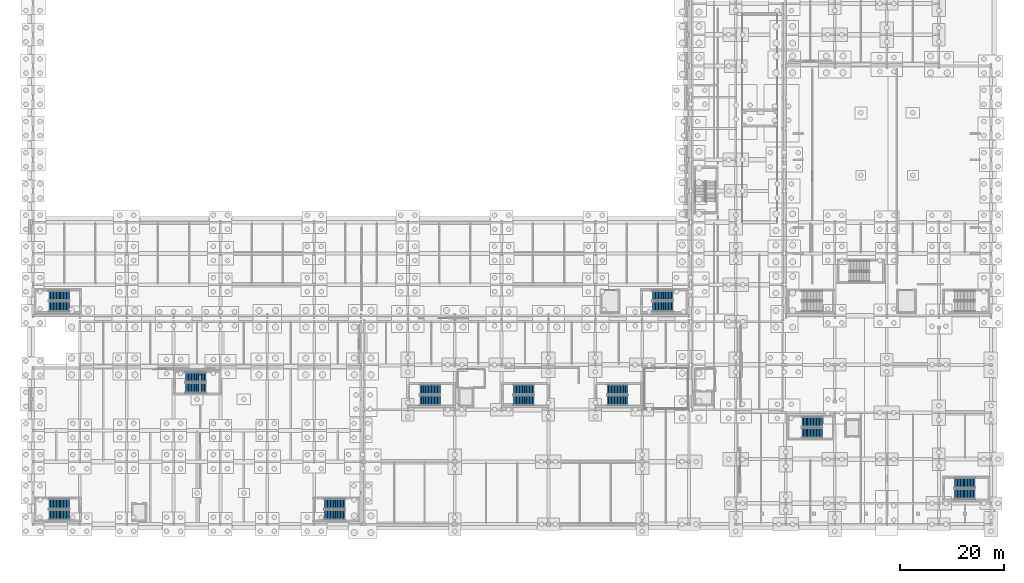
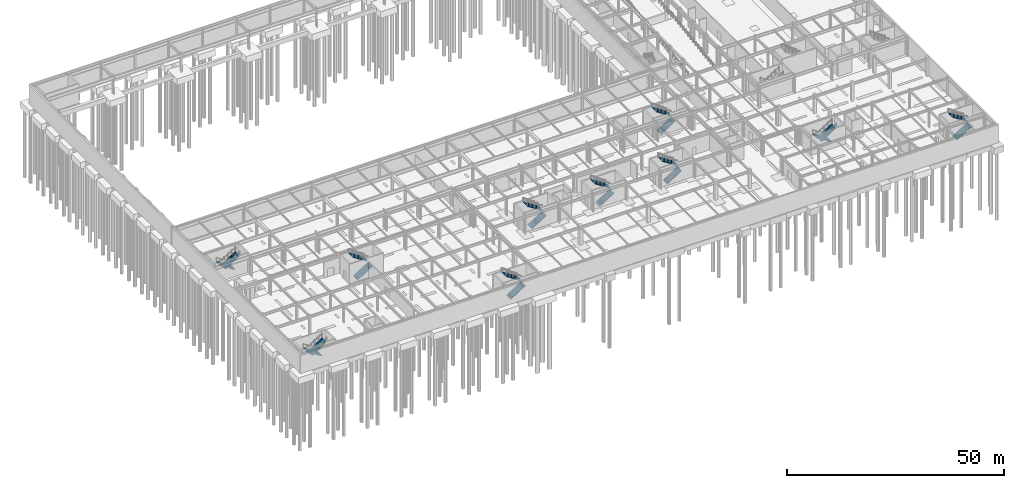
# One storey, part 50 of 65: 20 stair flights, 10 elements without a shape of their own.
"""IFC4 building model written with IfcOpenShell, lengths in metres."""

from ifc_helpers import new_model, si_unit, direction, frame, origin, place, context, subcontext, project, spatial, polyline, outline, extrude, material, type_object, element, aggregate, save


model = new_model("IFC4")

# Units and contexts
model_context = context("Model", 3, precision=1e-05, world=origin(), true_north=direction((0.0, 1.0)))
body_context = subcontext(model_context, "Body", "Model", "MODEL_VIEW")
ifc_project = project(units=[si_unit("LENGTHUNIT", "METRE"), si_unit("AREAUNIT", "SQUARE_METRE"), si_unit("VOLUMEUNIT", "CUBIC_METRE"), si_unit("PLANEANGLEUNIT", "RADIAN"), si_unit("MASSUNIT", "GRAM", prefix="KILO")], contexts=[model_context])

# Site, building, storey
site_placement = place(None, origin())
site = spatial("IfcSite", under=ifc_project, at=site_placement, CompositionType="ELEMENT")
building_placement = place(site_placement, origin())
building = spatial("IfcBuilding", under=site, at=building_placement, Name="Kaldris Quays Convention Centre", CompositionType="ELEMENT")
storey_placement = place(building_placement, frame((0.0, 0.0, -5.39990234375)))
storey = spatial("IfcBuildingStorey", under=building, at=storey_placement, Name="B1", CompositionType="ELEMENT", Elevation=-5.39990234375)

# Stair, stair flights
ifc_material = material(Name="Concrete C35/45", Category="concrete")
stair_type = type_object("IfcStairType", Name="DOGLEG ESCAPE STAIR STF1", PredefinedType="TWO_STRAIGHT_RUN_STAIR", material=ifc_material)
stair_1_placement = place(storey_placement, origin())
stair_1 = element("IfcStair", 1, at=stair_1_placement, inside=storey, type_object=stair_type, Name="B1 Escape Stair ST01", PredefinedType="TWO_STRAIGHT_RUN_STAIR")
stair_flight_type = type_object("IfcStairFlightType", Name="STAIR FLIGHT SF01", PredefinedType="STRAIGHT", material=ifc_material)
stair_flight_1_placement = place(storey_placement, frame((27.0, 59.875, 0.0), z_axis=(0.0, 0.0, 1.0), x_axis=(-1.0, 0.0, 0.0)))
stair_flight_1 = element("IfcStairFlight", 2, at=stair_flight_1_placement, type_object=stair_flight_type, Name="STF1 flight 1", NumberOfRisers=15, NumberOfTreads=14, PredefinedType="STRAIGHT", RiserHeight=0.18, TreadLength=0.28, context=body_context, shape_type="SweptSolid", body=[
    extrude(outline(polyline([(0.0, 0.0), (0.0, 0.179931640625), (0.280029296875, 0.179931640625), (0.280029296875, 0.360107421875), (0.56005859375, 0.360107421875), (0.56005859375, 0.5400390625), (0.840087890625, 0.5400390625), (0.840087890625, 0.719970703125), (1.1201171875, 0.719970703125), (1.1201171875, 0.89990234375), (1.39990234375, 0.89990234375), (1.39990234375, 1.080078125), (1.679931640625, 1.080078125), (1.679931640625, 1.260009765625), (1.9599609375, 1.260009765625), (1.9599609375, 1.43994140625), (2.239990234375, 1.43994140625), (2.239990234375, 1.6201171875), (2.52001953125, 1.6201171875), (2.52001953125, 1.800048828125), (2.800048828125, 1.800048828125), (2.800048828125, 1.97998046875), (3.080078125, 1.97998046875), (3.080078125, 2.159912109375), (3.360107421875, 2.159912109375), (3.360107421875, 2.340087890625), (3.639892578125, 2.340087890625), (3.639892578125, 2.52001953125), (3.919921875, 2.52001953125), (3.919921875, 2.699951171875), (3.919921875, 2.341796875), (0.277099609375, 0.0), (0.0, 0.0)])), frame((0.0, 0.97509765625, 0.0), z_axis=(0.0, -1.0, 0.0), x_axis=(1.0, 0.0, 0.0)), (0.0, 0.0, 1.0), 1.949951171875),
])
stair_flight_2_placement = place(storey_placement, frame((23.080078125, 57.77490234375, 2.699951171875), z_axis=(0.0, 0.0, 1.0), x_axis=(1.0, 0.0, 0.0)))
stair_flight_2 = element("IfcStairFlight", 3, at=stair_flight_2_placement, type_object=stair_flight_type, Name="STF1 flight 2", NumberOfRisers=15, NumberOfTreads=14, PredefinedType="STRAIGHT", RiserHeight=0.18, TreadLength=0.28, context=body_context, shape_type="SweptSolid", body=[
    extrude(outline(polyline([(0.0, 0.0), (0.0, 0.179931640625), (0.280029296875, 0.179931640625), (0.280029296875, 0.360107421875), (0.56005859375, 0.360107421875), (0.56005859375, 0.5400390625), (0.840087890625, 0.5400390625), (0.840087890625, 0.719970703125), (1.1201171875, 0.719970703125), (1.1201171875, 0.89990234375), (1.39990234375, 0.89990234375), (1.39990234375, 1.080078125), (1.679931640625, 1.080078125), (1.679931640625, 1.260009765625), (1.9599609375, 1.260009765625), (1.9599609375, 1.43994140625), (2.239990234375, 1.43994140625), (2.239990234375, 1.6201171875), (2.52001953125, 1.6201171875), (2.52001953125, 1.800048828125), (2.800048828125, 1.800048828125), (2.800048828125, 1.97998046875), (3.080078125, 1.97998046875), (3.080078125, 2.159912109375), (3.360107421875, 2.159912109375), (3.360107421875, 2.340087890625), (3.639892578125, 2.340087890625), (3.639892578125, 2.52001953125), (3.919921875, 2.52001953125), (3.919921875, 2.699951171875), (3.919921875, 2.341796875), (0.277099609375, 0.0), (0.0, 0.0)])), frame((0.0, 0.97509765625, 0.0), z_axis=(0.0, -1.0, 0.0), x_axis=(1.0, 0.0, 0.0)), (0.0, 0.0, 1.0), 1.949951171875),
])
aggregate(stair_1, [stair_flight_1, stair_flight_2])

stair_2_placement = place(storey_placement, origin())
stair_2 = element("IfcStair", 4, at=stair_2_placement, inside=storey, type_object=stair_type, Name="B1 Escape Stair ST02", PredefinedType="TWO_STRAIGHT_RUN_STAIR")
stair_flight_3_placement = place(storey_placement, frame((139.0, 57.77490234375, 0.0), z_axis=(0.0, 0.0, 1.0), x_axis=(1.0, 0.0, 0.0)))
stair_flight_3 = element("IfcStairFlight", 5, at=stair_flight_3_placement, type_object=stair_flight_type, Name="STF1 flight 1", NumberOfRisers=15, NumberOfTreads=14, PredefinedType="STRAIGHT", RiserHeight=0.18, TreadLength=0.28, context=body_context, shape_type="SweptSolid", body=[
    extrude(outline(polyline([(0.0, 0.0), (0.0, 0.179931640625), (0.280029296875, 0.179931640625), (0.280029296875, 0.360107421875), (0.56005859375, 0.360107421875), (0.56005859375, 0.5400390625), (0.840087890625, 0.5400390625), (0.840087890625, 0.719970703125), (1.1201171875, 0.719970703125), (1.1201171875, 0.89990234375), (1.39990234375, 0.89990234375), (1.39990234375, 1.080078125), (1.679931640625, 1.080078125), (1.679931640625, 1.260009765625), (1.9599609375, 1.260009765625), (1.9599609375, 1.43994140625), (2.239990234375, 1.43994140625), (2.239990234375, 1.6201171875), (2.52001953125, 1.6201171875), (2.52001953125, 1.800048828125), (2.800048828125, 1.800048828125), (2.800048828125, 1.97998046875), (3.080078125, 1.97998046875), (3.080078125, 2.159912109375), (3.360107421875, 2.159912109375), (3.360107421875, 2.340087890625), (3.639892578125, 2.340087890625), (3.639892578125, 2.52001953125), (3.919921875, 2.52001953125), (3.919921875, 2.699951171875), (3.919921875, 2.341796875), (0.277099609375, 0.0), (0.0, 0.0)])), frame((0.0, 0.97509765625, 0.0), z_axis=(0.0, -1.0, 0.0), x_axis=(1.0, 0.0, 0.0)), (0.0, 0.0, 1.0), 1.949951171875),
])
stair_flight_4_placement = place(storey_placement, frame((142.919921875, 59.875, 2.699951171875), z_axis=(0.0, 0.0, 1.0), x_axis=(-1.0, 0.0, 0.0)))
stair_flight_4 = element("IfcStairFlight", 6, at=stair_flight_4_placement, type_object=stair_flight_type, Name="STF1 flight 2", NumberOfRisers=15, NumberOfTreads=14, PredefinedType="STRAIGHT", RiserHeight=0.18, TreadLength=0.28, context=body_context, shape_type="SweptSolid", body=[
    extrude(outline(polyline([(0.0, 0.0), (0.0, 0.179931640625), (0.280029296875, 0.179931640625), (0.280029296875, 0.360107421875), (0.56005859375, 0.360107421875), (0.56005859375, 0.5400390625), (0.840087890625, 0.5400390625), (0.840087890625, 0.719970703125), (1.1201171875, 0.719970703125), (1.1201171875, 0.89990234375), (1.39990234375, 0.89990234375), (1.39990234375, 1.080078125), (1.679931640625, 1.080078125), (1.679931640625, 1.260009765625), (1.9599609375, 1.260009765625), (1.9599609375, 1.43994140625), (2.239990234375, 1.43994140625), (2.239990234375, 1.6201171875), (2.52001953125, 1.6201171875), (2.52001953125, 1.800048828125), (2.800048828125, 1.800048828125), (2.800048828125, 1.97998046875), (3.080078125, 1.97998046875), (3.080078125, 2.159912109375), (3.360107421875, 2.159912109375), (3.360107421875, 2.340087890625), (3.639892578125, 2.340087890625), (3.639892578125, 2.52001953125), (3.919921875, 2.52001953125), (3.919921875, 2.699951171875), (3.919921875, 2.341796875), (0.277099609375, 0.0), (0.0, 0.0)])), frame((0.0, 0.97509765625, 0.0), z_axis=(0.0, -1.0, 0.0), x_axis=(1.0, 0.0, 0.0)), (0.0, 0.0, 1.0), 1.949951171875),
])
aggregate(stair_2, [stair_flight_3, stair_flight_4])

stair_3_placement = place(storey_placement, origin())
stair_3 = element("IfcStair", 7, at=stair_3_placement, inside=storey, type_object=stair_type, Name="B1 Escape Stair ST05", PredefinedType="TWO_STRAIGHT_RUN_STAIR")
stair_flight_5_placement = place(storey_placement, frame((27.0, 19.875, 0.0), z_axis=(0.0, 0.0, 1.0), x_axis=(-1.0, 0.0, 0.0)))
stair_flight_5 = element("IfcStairFlight", 8, at=stair_flight_5_placement, type_object=stair_flight_type, Name="STF1 flight 1", NumberOfRisers=15, NumberOfTreads=14, PredefinedType="STRAIGHT", RiserHeight=0.18, TreadLength=0.28, context=body_context, shape_type="SweptSolid", body=[
    extrude(outline(polyline([(0.0, 0.0), (0.0, 0.179931640625), (0.280029296875, 0.179931640625), (0.280029296875, 0.360107421875), (0.56005859375, 0.360107421875), (0.56005859375, 0.5400390625), (0.840087890625, 0.5400390625), (0.840087890625, 0.719970703125), (1.1201171875, 0.719970703125), (1.1201171875, 0.89990234375), (1.39990234375, 0.89990234375), (1.39990234375, 1.080078125), (1.679931640625, 1.080078125), (1.679931640625, 1.260009765625), (1.9599609375, 1.260009765625), (1.9599609375, 1.43994140625), (2.239990234375, 1.43994140625), (2.239990234375, 1.6201171875), (2.52001953125, 1.6201171875), (2.52001953125, 1.800048828125), (2.800048828125, 1.800048828125), (2.800048828125, 1.97998046875), (3.080078125, 1.97998046875), (3.080078125, 2.159912109375), (3.360107421875, 2.159912109375), (3.360107421875, 2.340087890625), (3.639892578125, 2.340087890625), (3.639892578125, 2.52001953125), (3.919921875, 2.52001953125), (3.919921875, 2.699951171875), (3.919921875, 2.341796875), (0.277099609375, 0.0), (0.0, 0.0)])), frame((0.0, 0.97509765625, 0.0), z_axis=(0.0, -1.0, 0.0), x_axis=(1.0, 0.0, 0.0)), (0.0, 0.0, 1.0), 1.949951171875),
])
stair_flight_6_placement = place(storey_placement, frame((23.080078125, 17.77490234375, 2.699951171875), z_axis=(0.0, 0.0, 1.0), x_axis=(1.0, 0.0, 0.0)))
stair_flight_6 = element("IfcStairFlight", 9, at=stair_flight_6_placement, type_object=stair_flight_type, Name="STF1 flight 2", NumberOfRisers=15, NumberOfTreads=14, PredefinedType="STRAIGHT", RiserHeight=0.18, TreadLength=0.28, context=body_context, shape_type="SweptSolid", body=[
    extrude(outline(polyline([(0.0, 0.0), (0.0, 0.179931640625), (0.280029296875, 0.179931640625), (0.280029296875, 0.360107421875), (0.56005859375, 0.360107421875), (0.56005859375, 0.5400390625), (0.840087890625, 0.5400390625), (0.840087890625, 0.719970703125), (1.1201171875, 0.719970703125), (1.1201171875, 0.89990234375), (1.39990234375, 0.89990234375), (1.39990234375, 1.080078125), (1.679931640625, 1.080078125), (1.679931640625, 1.260009765625), (1.9599609375, 1.260009765625), (1.9599609375, 1.43994140625), (2.239990234375, 1.43994140625), (2.239990234375, 1.6201171875), (2.52001953125, 1.6201171875), (2.52001953125, 1.800048828125), (2.800048828125, 1.800048828125), (2.800048828125, 1.97998046875), (3.080078125, 1.97998046875), (3.080078125, 2.159912109375), (3.360107421875, 2.159912109375), (3.360107421875, 2.340087890625), (3.639892578125, 2.340087890625), (3.639892578125, 2.52001953125), (3.919921875, 2.52001953125), (3.919921875, 2.699951171875), (3.919921875, 2.341796875), (0.277099609375, 0.0), (0.0, 0.0)])), frame((0.0, 0.97509765625, 0.0), z_axis=(0.0, -1.0, 0.0), x_axis=(1.0, 0.0, 0.0)), (0.0, 0.0, 1.0), 1.949951171875),
])
aggregate(stair_3, [stair_flight_5, stair_flight_6])

stair_4_placement = place(storey_placement, origin())
stair_4 = element("IfcStair", 10, at=stair_4_placement, inside=storey, type_object=stair_type, Name="B1 Escape Stair ST06", PredefinedType="TWO_STRAIGHT_RUN_STAIR")
stair_flight_7_placement = place(storey_placement, frame((76.0, 17.77490234375, 0.0), z_axis=(0.0, 0.0, 1.0), x_axis=(1.0, 0.0, 0.0)))
stair_flight_7 = element("IfcStairFlight", 11, at=stair_flight_7_placement, type_object=stair_flight_type, Name="STF1 flight 1", NumberOfRisers=15, NumberOfTreads=14, PredefinedType="STRAIGHT", RiserHeight=0.18, TreadLength=0.28, context=body_context, shape_type="SweptSolid", body=[
    extrude(outline(polyline([(0.0, 0.0), (0.0, 0.179931640625), (0.280029296875, 0.179931640625), (0.280029296875, 0.360107421875), (0.56005859375, 0.360107421875), (0.56005859375, 0.5400390625), (0.840087890625, 0.5400390625), (0.840087890625, 0.719970703125), (1.1201171875, 0.719970703125), (1.1201171875, 0.89990234375), (1.39990234375, 0.89990234375), (1.39990234375, 1.080078125), (1.679931640625, 1.080078125), (1.679931640625, 1.260009765625), (1.9599609375, 1.260009765625), (1.9599609375, 1.43994140625), (2.239990234375, 1.43994140625), (2.239990234375, 1.6201171875), (2.52001953125, 1.6201171875), (2.52001953125, 1.800048828125), (2.800048828125, 1.800048828125), (2.800048828125, 1.97998046875), (3.080078125, 1.97998046875), (3.080078125, 2.159912109375), (3.360107421875, 2.159912109375), (3.360107421875, 2.340087890625), (3.639892578125, 2.340087890625), (3.639892578125, 2.52001953125), (3.919921875, 2.52001953125), (3.919921875, 2.699951171875), (3.919921875, 2.341796875), (0.277099609375, 0.0), (0.0, 0.0)])), frame((0.0, 0.97509765625, 0.0), z_axis=(0.0, -1.0, 0.0), x_axis=(1.0, 0.0, 0.0)), (0.0, 0.0, 1.0), 1.949951171875),
])
stair_flight_8_placement = place(storey_placement, frame((79.919921875, 19.875, 2.699951171875), z_axis=(0.0, 0.0, 1.0), x_axis=(-1.0, 0.0, 0.0)))
stair_flight_8 = element("IfcStairFlight", 12, at=stair_flight_8_placement, type_object=stair_flight_type, Name="STF1 flight 2", NumberOfRisers=15, NumberOfTreads=14, PredefinedType="STRAIGHT", RiserHeight=0.18, TreadLength=0.28, context=body_context, shape_type="SweptSolid", body=[
    extrude(outline(polyline([(0.0, 0.0), (0.0, 0.179931640625), (0.280029296875, 0.179931640625), (0.280029296875, 0.360107421875), (0.56005859375, 0.360107421875), (0.56005859375, 0.5400390625), (0.840087890625, 0.5400390625), (0.840087890625, 0.719970703125), (1.1201171875, 0.719970703125), (1.1201171875, 0.89990234375), (1.39990234375, 0.89990234375), (1.39990234375, 1.080078125), (1.679931640625, 1.080078125), (1.679931640625, 1.260009765625), (1.9599609375, 1.260009765625), (1.9599609375, 1.43994140625), (2.239990234375, 1.43994140625), (2.239990234375, 1.6201171875), (2.52001953125, 1.6201171875), (2.52001953125, 1.800048828125), (2.800048828125, 1.800048828125), (2.800048828125, 1.97998046875), (3.080078125, 1.97998046875), (3.080078125, 2.159912109375), (3.360107421875, 2.159912109375), (3.360107421875, 2.340087890625), (3.639892578125, 2.340087890625), (3.639892578125, 2.52001953125), (3.919921875, 2.52001953125), (3.919921875, 2.699951171875), (3.919921875, 2.341796875), (0.277099609375, 0.0), (0.0, 0.0)])), frame((0.0, 0.97509765625, 0.0), z_axis=(0.0, -1.0, 0.0), x_axis=(1.0, 0.0, 0.0)), (0.0, 0.0, 1.0), 1.949951171875),
])
aggregate(stair_4, [stair_flight_7, stair_flight_8])

stair_5_placement = place(storey_placement, origin())
stair_5 = element("IfcStair", 13, at=stair_5_placement, inside=storey, type_object=stair_type, Name="B1 Escape Stair ST07", PredefinedType="TWO_STRAIGHT_RUN_STAIR")
stair_flight_9_placement = place(storey_placement, frame((49.300048828125, 42.125, 0.0), z_axis=(0.0, 0.0, 1.0), x_axis=(1.0, 0.0, 0.0)))
stair_flight_9 = element("IfcStairFlight", 14, at=stair_flight_9_placement, type_object=stair_flight_type, Name="STF1 flight 1", NumberOfRisers=15, NumberOfTreads=14, PredefinedType="STRAIGHT", RiserHeight=0.18, TreadLength=0.28, context=body_context, shape_type="SweptSolid", body=[
    extrude(outline(polyline([(0.0, 0.0), (0.0, 0.179931640625), (0.280029296875, 0.179931640625), (0.280029296875, 0.360107421875), (0.56005859375, 0.360107421875), (0.56005859375, 0.5400390625), (0.840087890625, 0.5400390625), (0.840087890625, 0.719970703125), (1.1201171875, 0.719970703125), (1.1201171875, 0.89990234375), (1.39990234375, 0.89990234375), (1.39990234375, 1.080078125), (1.679931640625, 1.080078125), (1.679931640625, 1.260009765625), (1.9599609375, 1.260009765625), (1.9599609375, 1.43994140625), (2.239990234375, 1.43994140625), (2.239990234375, 1.6201171875), (2.52001953125, 1.6201171875), (2.52001953125, 1.800048828125), (2.800048828125, 1.800048828125), (2.800048828125, 1.97998046875), (3.080078125, 1.97998046875), (3.080078125, 2.159912109375), (3.360107421875, 2.159912109375), (3.360107421875, 2.340087890625), (3.639892578125, 2.340087890625), (3.639892578125, 2.52001953125), (3.919921875, 2.52001953125), (3.919921875, 2.699951171875), (3.919921875, 2.341796875), (0.277099609375, 0.0), (0.0, 0.0)])), frame((0.0, 0.97509765625, 0.0), z_axis=(0.0, -1.0, 0.0), x_axis=(1.0, 0.0, 0.0)), (0.0, 0.0, 1.0), 1.949951171875),
])
stair_flight_10_placement = place(storey_placement, frame((53.219970703125, 44.22509765625, 2.699951171875), z_axis=(0.0, 0.0, 1.0), x_axis=(-1.0, 0.0, 0.0)))
stair_flight_10 = element("IfcStairFlight", 15, at=stair_flight_10_placement, type_object=stair_flight_type, Name="STF1 flight 2", NumberOfRisers=15, NumberOfTreads=14, PredefinedType="STRAIGHT", RiserHeight=0.18, TreadLength=0.28, context=body_context, shape_type="SweptSolid", body=[
    extrude(outline(polyline([(0.0, 0.0), (0.0, 0.179931640625), (0.280029296875, 0.179931640625), (0.280029296875, 0.360107421875), (0.56005859375, 0.360107421875), (0.56005859375, 0.5400390625), (0.840087890625, 0.5400390625), (0.840087890625, 0.719970703125), (1.1201171875, 0.719970703125), (1.1201171875, 0.89990234375), (1.39990234375, 0.89990234375), (1.39990234375, 1.080078125), (1.679931640625, 1.080078125), (1.679931640625, 1.260009765625), (1.9599609375, 1.260009765625), (1.9599609375, 1.43994140625), (2.239990234375, 1.43994140625), (2.239990234375, 1.6201171875), (2.52001953125, 1.6201171875), (2.52001953125, 1.800048828125), (2.800048828125, 1.800048828125), (2.800048828125, 1.97998046875), (3.080078125, 1.97998046875), (3.080078125, 2.159912109375), (3.360107421875, 2.159912109375), (3.360107421875, 2.340087890625), (3.639892578125, 2.340087890625), (3.639892578125, 2.52001953125), (3.919921875, 2.52001953125), (3.919921875, 2.699951171875), (3.919921875, 2.341796875), (0.277099609375, 0.0), (0.0, 0.0)])), frame((0.0, 0.97509765625, 0.0), z_axis=(0.0, -1.0, 0.0), x_axis=(1.0, 0.0, 0.0)), (0.0, 0.0, 1.0), 1.949951171875),
])
aggregate(stair_5, [stair_flight_9, stair_flight_10])

stair_6_placement = place(storey_placement, origin())
stair_6 = element("IfcStair", 16, at=stair_6_placement, inside=storey, type_object=stair_type, Name="B1 Escape Stair ST11", PredefinedType="TWO_STRAIGHT_RUN_STAIR")
stair_flight_11_placement = place(storey_placement, frame((94.300048828125, 39.77490234375, 0.0), z_axis=(0.0, 0.0, 1.0), x_axis=(1.0, 0.0, 0.0)))
stair_flight_11 = element("IfcStairFlight", 17, at=stair_flight_11_placement, type_object=stair_flight_type, Name="STF1 flight 1", NumberOfRisers=15, NumberOfTreads=14, PredefinedType="STRAIGHT", RiserHeight=0.18, TreadLength=0.28, context=body_context, shape_type="SweptSolid", body=[
    extrude(outline(polyline([(0.0, 0.0), (0.0, 0.179931640625), (0.280029296875, 0.179931640625), (0.280029296875, 0.360107421875), (0.56005859375, 0.360107421875), (0.56005859375, 0.5400390625), (0.840087890625, 0.5400390625), (0.840087890625, 0.719970703125), (1.1201171875, 0.719970703125), (1.1201171875, 0.89990234375), (1.39990234375, 0.89990234375), (1.39990234375, 1.080078125), (1.679931640625, 1.080078125), (1.679931640625, 1.260009765625), (1.9599609375, 1.260009765625), (1.9599609375, 1.43994140625), (2.239990234375, 1.43994140625), (2.239990234375, 1.6201171875), (2.52001953125, 1.6201171875), (2.52001953125, 1.800048828125), (2.800048828125, 1.800048828125), (2.800048828125, 1.97998046875), (3.080078125, 1.97998046875), (3.080078125, 2.159912109375), (3.360107421875, 2.159912109375), (3.360107421875, 2.340087890625), (3.639892578125, 2.340087890625), (3.639892578125, 2.52001953125), (3.919921875, 2.52001953125), (3.919921875, 2.699951171875), (3.919921875, 2.341796875), (0.277099609375, 0.0), (0.0, 0.0)])), frame((0.0, 0.97509765625, 0.0), z_axis=(0.0, -1.0, 0.0), x_axis=(1.0, 0.0, 0.0)), (0.0, 0.0, 1.0), 1.949951171875),
])
stair_flight_12_placement = place(storey_placement, frame((98.219970703125, 41.875, 2.699951171875), z_axis=(0.0, 0.0, 1.0), x_axis=(-1.0, 0.0, 0.0)))
stair_flight_12 = element("IfcStairFlight", 18, at=stair_flight_12_placement, type_object=stair_flight_type, Name="STF1 flight 2", NumberOfRisers=15, NumberOfTreads=14, PredefinedType="STRAIGHT", RiserHeight=0.18, TreadLength=0.28, context=body_context, shape_type="SweptSolid", body=[
    extrude(outline(polyline([(0.0, 0.0), (0.0, 0.179931640625), (0.280029296875, 0.179931640625), (0.280029296875, 0.360107421875), (0.56005859375, 0.360107421875), (0.56005859375, 0.5400390625), (0.840087890625, 0.5400390625), (0.840087890625, 0.719970703125), (1.1201171875, 0.719970703125), (1.1201171875, 0.89990234375), (1.39990234375, 0.89990234375), (1.39990234375, 1.080078125), (1.679931640625, 1.080078125), (1.679931640625, 1.260009765625), (1.9599609375, 1.260009765625), (1.9599609375, 1.43994140625), (2.239990234375, 1.43994140625), (2.239990234375, 1.6201171875), (2.52001953125, 1.6201171875), (2.52001953125, 1.800048828125), (2.800048828125, 1.800048828125), (2.800048828125, 1.97998046875), (3.080078125, 1.97998046875), (3.080078125, 2.159912109375), (3.360107421875, 2.159912109375), (3.360107421875, 2.340087890625), (3.639892578125, 2.340087890625), (3.639892578125, 2.52001953125), (3.919921875, 2.52001953125), (3.919921875, 2.699951171875), (3.919921875, 2.341796875), (0.277099609375, 0.0), (0.0, 0.0)])), frame((0.0, 0.97509765625, 0.0), z_axis=(0.0, -1.0, 0.0), x_axis=(1.0, 0.0, 0.0)), (0.0, 0.0, 1.0), 1.949951171875),
])
aggregate(stair_6, [stair_flight_11, stair_flight_12])

stair_7_placement = place(storey_placement, origin())
stair_7 = element("IfcStair", 19, at=stair_7_placement, inside=storey, type_object=stair_type, Name="B1 Escape Stair ST12", PredefinedType="TWO_STRAIGHT_RUN_STAIR")
stair_flight_13_placement = place(storey_placement, frame((130.300048828125, 39.77490234375, 0.0), z_axis=(0.0, 0.0, 1.0), x_axis=(1.0, 0.0, 0.0)))
stair_flight_13 = element("IfcStairFlight", 20, at=stair_flight_13_placement, type_object=stair_flight_type, Name="STF1 flight 1", NumberOfRisers=15, NumberOfTreads=14, PredefinedType="STRAIGHT", RiserHeight=0.18, TreadLength=0.28, context=body_context, shape_type="SweptSolid", body=[
    extrude(outline(polyline([(0.0, 0.0), (0.0, 0.179931640625), (0.280029296875, 0.179931640625), (0.280029296875, 0.360107421875), (0.56005859375, 0.360107421875), (0.56005859375, 0.5400390625), (0.840087890625, 0.5400390625), (0.840087890625, 0.719970703125), (1.1201171875, 0.719970703125), (1.1201171875, 0.89990234375), (1.39990234375, 0.89990234375), (1.39990234375, 1.080078125), (1.679931640625, 1.080078125), (1.679931640625, 1.260009765625), (1.9599609375, 1.260009765625), (1.9599609375, 1.43994140625), (2.239990234375, 1.43994140625), (2.239990234375, 1.6201171875), (2.52001953125, 1.6201171875), (2.52001953125, 1.800048828125), (2.800048828125, 1.800048828125), (2.800048828125, 1.97998046875), (3.080078125, 1.97998046875), (3.080078125, 2.159912109375), (3.360107421875, 2.159912109375), (3.360107421875, 2.340087890625), (3.639892578125, 2.340087890625), (3.639892578125, 2.52001953125), (3.919921875, 2.52001953125), (3.919921875, 2.699951171875), (3.919921875, 2.341796875), (0.277099609375, 0.0), (0.0, 0.0)])), frame((0.0, 0.97509765625, 0.0), z_axis=(0.0, -1.0, 0.0), x_axis=(1.0, 0.0, 0.0)), (0.0, 0.0, 1.0), 1.949951171875),
])
stair_flight_14_placement = place(storey_placement, frame((134.219970703125, 41.875, 2.699951171875), z_axis=(0.0, 0.0, 1.0), x_axis=(-1.0, 0.0, 0.0)))
stair_flight_14 = element("IfcStairFlight", 21, at=stair_flight_14_placement, type_object=stair_flight_type, Name="STF1 flight 2", NumberOfRisers=15, NumberOfTreads=14, PredefinedType="STRAIGHT", RiserHeight=0.18, TreadLength=0.28, context=body_context, shape_type="SweptSolid", body=[
    extrude(outline(polyline([(0.0, 0.0), (0.0, 0.179931640625), (0.280029296875, 0.179931640625), (0.280029296875, 0.360107421875), (0.56005859375, 0.360107421875), (0.56005859375, 0.5400390625), (0.840087890625, 0.5400390625), (0.840087890625, 0.719970703125), (1.1201171875, 0.719970703125), (1.1201171875, 0.89990234375), (1.39990234375, 0.89990234375), (1.39990234375, 1.080078125), (1.679931640625, 1.080078125), (1.679931640625, 1.260009765625), (1.9599609375, 1.260009765625), (1.9599609375, 1.43994140625), (2.239990234375, 1.43994140625), (2.239990234375, 1.6201171875), (2.52001953125, 1.6201171875), (2.52001953125, 1.800048828125), (2.800048828125, 1.800048828125), (2.800048828125, 1.97998046875), (3.080078125, 1.97998046875), (3.080078125, 2.159912109375), (3.360107421875, 2.159912109375), (3.360107421875, 2.340087890625), (3.639892578125, 2.340087890625), (3.639892578125, 2.52001953125), (3.919921875, 2.52001953125), (3.919921875, 2.699951171875), (3.919921875, 2.341796875), (0.277099609375, 0.0), (0.0, 0.0)])), frame((0.0, 0.97509765625, 0.0), z_axis=(0.0, -1.0, 0.0), x_axis=(1.0, 0.0, 0.0)), (0.0, 0.0, 1.0), 1.949951171875),
])
aggregate(stair_7, [stair_flight_13, stair_flight_14])

stair_8_placement = place(storey_placement, origin())
stair_8 = element("IfcStair", 22, at=stair_8_placement, inside=storey, type_object=stair_type, Name="B1 Escape Stair ST13", PredefinedType="TWO_STRAIGHT_RUN_STAIR")
stair_flight_15_placement = place(storey_placement, frame((112.300048828125, 39.77490234375, 0.0), z_axis=(0.0, 0.0, 1.0), x_axis=(1.0, 0.0, 0.0)))
stair_flight_15 = element("IfcStairFlight", 23, at=stair_flight_15_placement, type_object=stair_flight_type, Name="STF1 flight 1", NumberOfRisers=15, NumberOfTreads=14, PredefinedType="STRAIGHT", RiserHeight=0.18, TreadLength=0.28, context=body_context, shape_type="SweptSolid", body=[
    extrude(outline(polyline([(0.0, 0.0), (0.0, 0.179931640625), (0.280029296875, 0.179931640625), (0.280029296875, 0.360107421875), (0.56005859375, 0.360107421875), (0.56005859375, 0.5400390625), (0.840087890625, 0.5400390625), (0.840087890625, 0.719970703125), (1.1201171875, 0.719970703125), (1.1201171875, 0.89990234375), (1.39990234375, 0.89990234375), (1.39990234375, 1.080078125), (1.679931640625, 1.080078125), (1.679931640625, 1.260009765625), (1.9599609375, 1.260009765625), (1.9599609375, 1.43994140625), (2.239990234375, 1.43994140625), (2.239990234375, 1.6201171875), (2.52001953125, 1.6201171875), (2.52001953125, 1.800048828125), (2.800048828125, 1.800048828125), (2.800048828125, 1.97998046875), (3.080078125, 1.97998046875), (3.080078125, 2.159912109375), (3.360107421875, 2.159912109375), (3.360107421875, 2.340087890625), (3.639892578125, 2.340087890625), (3.639892578125, 2.52001953125), (3.919921875, 2.52001953125), (3.919921875, 2.699951171875), (3.919921875, 2.341796875), (0.277099609375, 0.0), (0.0, 0.0)])), frame((0.0, 0.97509765625, 0.0), z_axis=(0.0, -1.0, 0.0), x_axis=(1.0, 0.0, 0.0)), (0.0, 0.0, 1.0), 1.949951171875),
])
stair_flight_16_placement = place(storey_placement, frame((116.219970703125, 41.875, 2.699951171875), z_axis=(0.0, 0.0, 1.0), x_axis=(-1.0, 0.0, 0.0)))
stair_flight_16 = element("IfcStairFlight", 24, at=stair_flight_16_placement, type_object=stair_flight_type, Name="STF1 flight 2", NumberOfRisers=15, NumberOfTreads=14, PredefinedType="STRAIGHT", RiserHeight=0.18, TreadLength=0.28, context=body_context, shape_type="SweptSolid", body=[
    extrude(outline(polyline([(0.0, 0.0), (0.0, 0.179931640625), (0.280029296875, 0.179931640625), (0.280029296875, 0.360107421875), (0.56005859375, 0.360107421875), (0.56005859375, 0.5400390625), (0.840087890625, 0.5400390625), (0.840087890625, 0.719970703125), (1.1201171875, 0.719970703125), (1.1201171875, 0.89990234375), (1.39990234375, 0.89990234375), (1.39990234375, 1.080078125), (1.679931640625, 1.080078125), (1.679931640625, 1.260009765625), (1.9599609375, 1.260009765625), (1.9599609375, 1.43994140625), (2.239990234375, 1.43994140625), (2.239990234375, 1.6201171875), (2.52001953125, 1.6201171875), (2.52001953125, 1.800048828125), (2.800048828125, 1.800048828125), (2.800048828125, 1.97998046875), (3.080078125, 1.97998046875), (3.080078125, 2.159912109375), (3.360107421875, 2.159912109375), (3.360107421875, 2.340087890625), (3.639892578125, 2.340087890625), (3.639892578125, 2.52001953125), (3.919921875, 2.52001953125), (3.919921875, 2.699951171875), (3.919921875, 2.341796875), (0.277099609375, 0.0), (0.0, 0.0)])), frame((0.0, 0.97509765625, 0.0), z_axis=(0.0, -1.0, 0.0), x_axis=(1.0, 0.0, 0.0)), (0.0, 0.0, 1.0), 1.949951171875),
])
aggregate(stair_8, [stair_flight_15, stair_flight_16])

stair_9_placement = place(storey_placement, origin())
stair_9 = element("IfcStair", 25, at=stair_9_placement, inside=storey, type_object=stair_type, Name="B1 Escape Stair ST15", PredefinedType="TWO_STRAIGHT_RUN_STAIR")
stair_flight_17_placement = place(storey_placement, frame((171.60009765625, 35.625, 0.0), z_axis=(0.0, 0.0, 1.0), x_axis=(-1.0, 0.0, 0.0)))
stair_flight_17 = element("IfcStairFlight", 26, at=stair_flight_17_placement, type_object=stair_flight_type, Name="STF1 flight 1", NumberOfRisers=15, NumberOfTreads=14, PredefinedType="STRAIGHT", RiserHeight=0.18, TreadLength=0.28, context=body_context, shape_type="SweptSolid", body=[
    extrude(outline(polyline([(0.0, 0.0), (0.0, 0.179931640625), (0.280029296875, 0.179931640625), (0.280029296875, 0.360107421875), (0.56005859375, 0.360107421875), (0.56005859375, 0.5400390625), (0.840087890625, 0.5400390625), (0.840087890625, 0.719970703125), (1.1201171875, 0.719970703125), (1.1201171875, 0.89990234375), (1.39990234375, 0.89990234375), (1.39990234375, 1.080078125), (1.679931640625, 1.080078125), (1.679931640625, 1.260009765625), (1.9599609375, 1.260009765625), (1.9599609375, 1.43994140625), (2.239990234375, 1.43994140625), (2.239990234375, 1.6201171875), (2.52001953125, 1.6201171875), (2.52001953125, 1.800048828125), (2.800048828125, 1.800048828125), (2.800048828125, 1.97998046875), (3.080078125, 1.97998046875), (3.080078125, 2.159912109375), (3.360107421875, 2.159912109375), (3.360107421875, 2.340087890625), (3.639892578125, 2.340087890625), (3.639892578125, 2.52001953125), (3.919921875, 2.52001953125), (3.919921875, 2.699951171875), (3.919921875, 2.341796875), (0.277099609375, 0.0), (0.0, 0.0)])), frame((0.0, 0.97509765625, 0.0), z_axis=(0.0, -1.0, 0.0), x_axis=(1.0, 0.0, 0.0)), (0.0, 0.0, 1.0), 1.949951171875),
])
stair_flight_18_placement = place(storey_placement, frame((167.679931640625, 33.52490234375, 2.699951171875), z_axis=(0.0, 0.0, 1.0), x_axis=(1.0, 0.0, 0.0)))
stair_flight_18 = element("IfcStairFlight", 27, at=stair_flight_18_placement, type_object=stair_flight_type, Name="STF1 flight 2", NumberOfRisers=15, NumberOfTreads=14, PredefinedType="STRAIGHT", RiserHeight=0.18, TreadLength=0.28, context=body_context, shape_type="SweptSolid", body=[
    extrude(outline(polyline([(0.0, 0.0), (0.0, 0.179931640625), (0.280029296875, 0.179931640625), (0.280029296875, 0.360107421875), (0.56005859375, 0.360107421875), (0.56005859375, 0.5400390625), (0.840087890625, 0.5400390625), (0.840087890625, 0.719970703125), (1.1201171875, 0.719970703125), (1.1201171875, 0.89990234375), (1.39990234375, 0.89990234375), (1.39990234375, 1.080078125), (1.679931640625, 1.080078125), (1.679931640625, 1.260009765625), (1.9599609375, 1.260009765625), (1.9599609375, 1.43994140625), (2.239990234375, 1.43994140625), (2.239990234375, 1.6201171875), (2.52001953125, 1.6201171875), (2.52001953125, 1.800048828125), (2.800048828125, 1.800048828125), (2.800048828125, 1.97998046875), (3.080078125, 1.97998046875), (3.080078125, 2.159912109375), (3.360107421875, 2.159912109375), (3.360107421875, 2.340087890625), (3.639892578125, 2.340087890625), (3.639892578125, 2.52001953125), (3.919921875, 2.52001953125), (3.919921875, 2.699951171875), (3.919921875, 2.341796875), (0.277099609375, 0.0), (0.0, 0.0)])), frame((0.0, 0.97509765625, 0.0), z_axis=(0.0, -1.0, 0.0), x_axis=(1.0, 0.0, 0.0)), (0.0, 0.0, 1.0), 1.949951171875),
])
aggregate(stair_9, [stair_flight_17, stair_flight_18])

stair_10_placement = place(storey_placement, origin())
stair_10 = element("IfcStair", 28, at=stair_10_placement, inside=storey, type_object=stair_type, Name="B1 Escape Stair ST16", PredefinedType="TWO_STRAIGHT_RUN_STAIR")
stair_flight_19_placement = place(storey_placement, frame((197.0, 21.77490234375, 0.0), z_axis=(0.0, 0.0, 1.0), x_axis=(1.0, 0.0, 0.0)))
stair_flight_19 = element("IfcStairFlight", 29, at=stair_flight_19_placement, type_object=stair_flight_type, Name="STF1 flight 1", NumberOfRisers=15, NumberOfTreads=14, PredefinedType="STRAIGHT", RiserHeight=0.18, TreadLength=0.28, context=body_context, shape_type="SweptSolid", body=[
    extrude(outline(polyline([(0.0, 0.0), (0.0, 0.179931640625), (0.280029296875, 0.179931640625), (0.280029296875, 0.360107421875), (0.56005859375, 0.360107421875), (0.56005859375, 0.5400390625), (0.840087890625, 0.5400390625), (0.840087890625, 0.719970703125), (1.1201171875, 0.719970703125), (1.1201171875, 0.89990234375), (1.39990234375, 0.89990234375), (1.39990234375, 1.080078125), (1.679931640625, 1.080078125), (1.679931640625, 1.260009765625), (1.9599609375, 1.260009765625), (1.9599609375, 1.43994140625), (2.239990234375, 1.43994140625), (2.239990234375, 1.6201171875), (2.52001953125, 1.6201171875), (2.52001953125, 1.800048828125), (2.800048828125, 1.800048828125), (2.800048828125, 1.97998046875), (3.080078125, 1.97998046875), (3.080078125, 2.159912109375), (3.360107421875, 2.159912109375), (3.360107421875, 2.340087890625), (3.639892578125, 2.340087890625), (3.639892578125, 2.52001953125), (3.919921875, 2.52001953125), (3.919921875, 2.699951171875), (3.919921875, 2.341796875), (0.277099609375, 0.0), (0.0, 0.0)])), frame((0.0, 0.97509765625, 0.0), z_axis=(0.0, -1.0, 0.0), x_axis=(1.0, 0.0, 0.0)), (0.0, 0.0, 1.0), 1.949951171875),
])
stair_flight_20_placement = place(storey_placement, frame((200.919921875, 23.875, 2.699951171875), z_axis=(0.0, 0.0, 1.0), x_axis=(-1.0, 0.0, 0.0)))
stair_flight_20 = element("IfcStairFlight", 30, at=stair_flight_20_placement, type_object=stair_flight_type, Name="STF1 flight 2", NumberOfRisers=15, NumberOfTreads=14, PredefinedType="STRAIGHT", RiserHeight=0.18, TreadLength=0.28, context=body_context, shape_type="SweptSolid", body=[
    extrude(outline(polyline([(0.0, 0.0), (0.0, 0.179931640625), (0.280029296875, 0.179931640625), (0.280029296875, 0.360107421875), (0.56005859375, 0.360107421875), (0.56005859375, 0.5400390625), (0.840087890625, 0.5400390625), (0.840087890625, 0.719970703125), (1.1201171875, 0.719970703125), (1.1201171875, 0.89990234375), (1.39990234375, 0.89990234375), (1.39990234375, 1.080078125), (1.679931640625, 1.080078125), (1.679931640625, 1.260009765625), (1.9599609375, 1.260009765625), (1.9599609375, 1.43994140625), (2.239990234375, 1.43994140625), (2.239990234375, 1.6201171875), (2.52001953125, 1.6201171875), (2.52001953125, 1.800048828125), (2.800048828125, 1.800048828125), (2.800048828125, 1.97998046875), (3.080078125, 1.97998046875), (3.080078125, 2.159912109375), (3.360107421875, 2.159912109375), (3.360107421875, 2.340087890625), (3.639892578125, 2.340087890625), (3.639892578125, 2.52001953125), (3.919921875, 2.52001953125), (3.919921875, 2.699951171875), (3.919921875, 2.341796875), (0.277099609375, 0.0), (0.0, 0.0)])), frame((0.0, 0.97509765625, 0.0), z_axis=(0.0, -1.0, 0.0), x_axis=(1.0, 0.0, 0.0)), (0.0, 0.0, 1.0), 1.949951171875),
])
aggregate(stair_10, [stair_flight_19, stair_flight_20])

save(model, "model.ifc")
